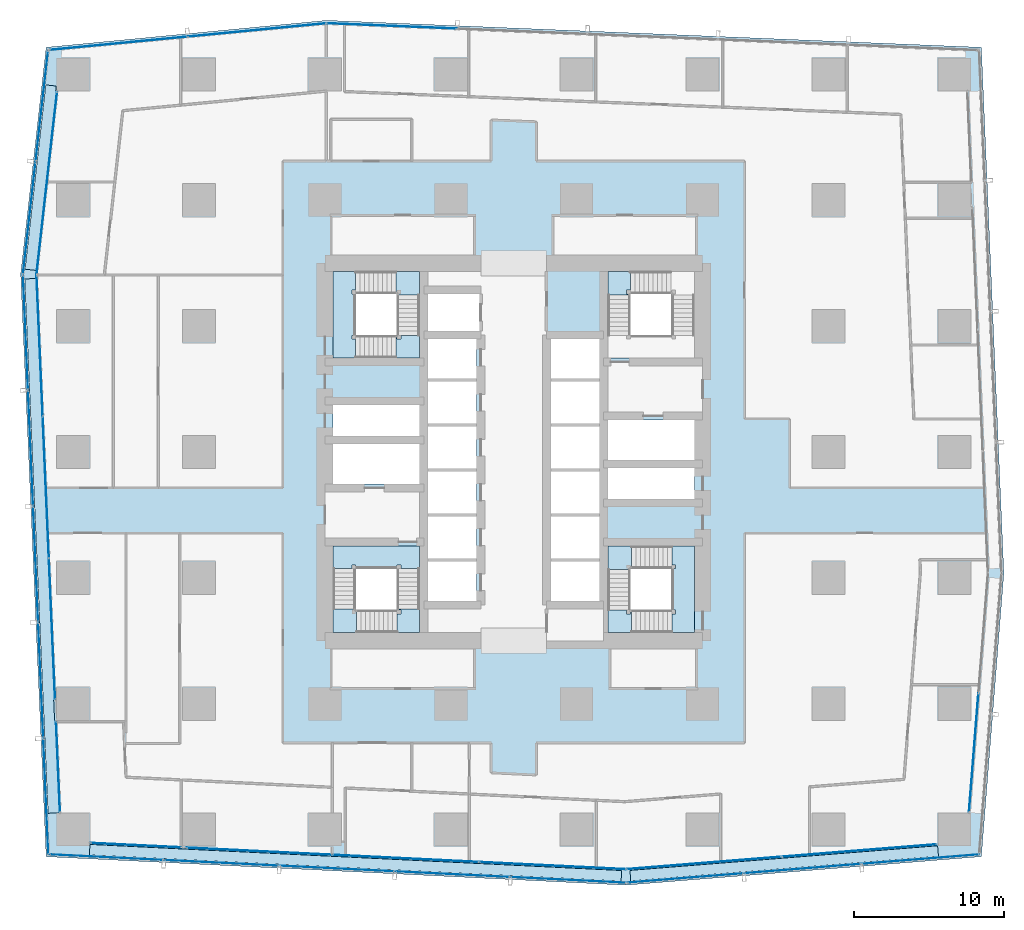
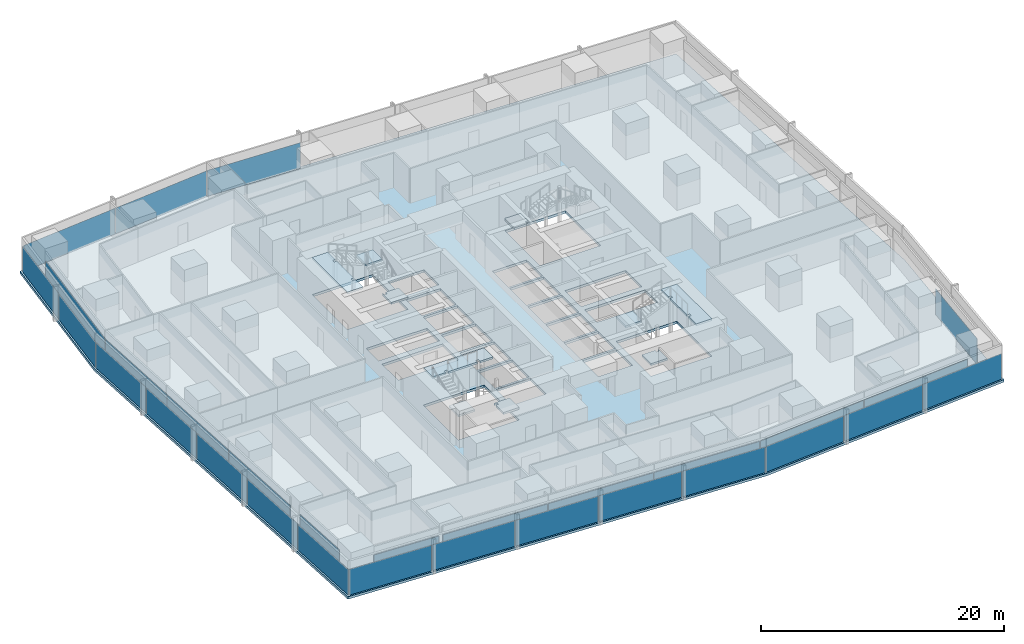
# One storey, part 30 of 45: 34 plates, 11 slabs, 17 elements without a shape of their own.
"""IFC4 building model written with IfcOpenShell, lengths in metres."""

import ifcopenshell
import ifcopenshell.guid

model = None  # the IFC model being written
_history = None  # IfcOwnerHistory: only IFC2X3 demands one
_inside = {}  # id of a spatial element -> (the spatial element, [elements in it])
_under = {}  # id of a project, library or spatial element -> (it, [spatial elements below it])
_declared = {}  # id of a project -> (the project, [libraries it declares])
_typed = {}  # id of a type object -> (the type object, [elements of that type])
_made_of = {}  # id of a material, layer set ... -> (it, [elements and type objects made of it])


def new_model(schema):
    """Start an empty IFC model of exactly this schema.

    Asked for "IFC4X3", IfcOpenShell would pick the latest addendum, in which some entities
    have other attributes; the version numbers below select the first issue.
    IFC2X3 requires an IfcOwnerHistory on every rooted entity: one is made here for all.
    """
    global model, _history
    if schema == "IFC4X3":
        model = ifcopenshell.file(schema_version=(4, 3, 0, 0))
    else:
        model = ifcopenshell.file(schema=schema)
    _inside.clear()
    _under.clear()
    _declared.clear()
    _typed.clear()
    _made_of.clear()
    _history = None
    if model.schema == "IFC2X3":
        org = make("IfcOrganization", Name="unknown")
        user = make(
            "IfcPersonAndOrganization",
            ThePerson=make("IfcPerson", FamilyName="unknown"),
            TheOrganization=org,
        )
        app = make(
            "IfcApplication",
            ApplicationDeveloper=org,
            Version="unknown",
            ApplicationFullName="unknown",
            ApplicationIdentifier="unknown",
        )
        _history = make(
            "IfcOwnerHistory",
            OwningUser=user,
            OwningApplication=app,
            ChangeAction="ADDED",
            CreationDate=0,
        )
    return model


def make(cls, **values):
    """One entity of the class cls with the attributes given. An attribute that is None is left unset."""
    return model.create_entity(
        cls, **{name: value for name, value in values.items() if value is not None}
    )


def rooted(cls, **values):
    """An entity with a GlobalId (a new one), such as an element, a storey or a relation."""
    return make(cls, GlobalId=ifcopenshell.guid.new(), OwnerHistory=_history, **values)


def si_unit(unit_type, name, prefix=None):
    """IfcSIUnit, for example si_unit("LENGTHUNIT", "METRE", prefix="MILLI")."""
    return make("IfcSIUnit", UnitType=unit_type, Prefix=prefix, Name=name)


def assignment(units):
    """IfcUnitAssignment: the units of a project."""
    return None if units is None else make("IfcUnitAssignment", Units=units)


def point(xyz):
    """IfcCartesianPoint."""
    return None if xyz is None else make("IfcCartesianPoint", Coordinates=xyz)


def direction(xyz):
    """IfcDirection."""
    return None if xyz is None else make("IfcDirection", DirectionRatios=xyz)


def frame(location, z_axis=None, x_axis=None):
    """IfcAxis2Placement3D, a coordinate frame: its origin and axes. An axis left out is left unset."""
    return make(
        "IfcAxis2Placement3D",
        Location=point(location),
        Axis=direction(z_axis),
        RefDirection=direction(x_axis),
    )


def frame_2d(location, x_axis=None):
    """IfcAxis2Placement2D, a coordinate frame in the plane: its origin and x axis."""
    return make(
        "IfcAxis2Placement2D", Location=point(location), RefDirection=direction(x_axis)
    )


def origin():
    """The frame at (0, 0, 0) with its axes left unset."""
    return frame((0.0, 0.0, 0.0))


def origin_2d():
    """The frame at (0, 0) in the plane with its x axis left unset."""
    return frame_2d((0.0, 0.0))


def place(relative_to, where):
    """IfcLocalPlacement: puts the frame where relative to a parent placement (None: the world)."""
    return make(
        "IfcLocalPlacement", PlacementRelTo=relative_to, RelativePlacement=where
    )


def context(
    kind, dimensions, precision=None, world=None, true_north=None, identifier=None
):
    """IfcGeometricRepresentationContext, for example the 3D "Model" context."""
    return make(
        "IfcGeometricRepresentationContext",
        ContextIdentifier=identifier,
        ContextType=kind,
        CoordinateSpaceDimension=dimensions,
        Precision=precision,
        WorldCoordinateSystem=world,
        TrueNorth=true_north,
    )


def subcontext(parent, identifier, kind, view, scale=None):
    """IfcGeometricRepresentationSubContext, for example "Body" below "Model"."""
    return make(
        "IfcGeometricRepresentationSubContext",
        ContextIdentifier=identifier,
        ContextType=kind,
        ParentContext=parent,
        TargetScale=scale,
        TargetView=view,
    )


def project(units=None, contexts=None):
    """IfcProject with its units and contexts."""
    return rooted(
        "IfcProject",
        Name="project",
        RepresentationContexts=contexts,
        UnitsInContext=assignment(units),
    )


def spatial(cls, under=None, at=None, **own):
    """A site, building, storey or space (cls), placed at a placement, below another one or the project."""
    s = rooted(cls, ObjectPlacement=at, **own)
    if under is not None:
        _under.setdefault(under.id(), (under, []))[1].append(s)
    return s


def polyline(points):
    """IfcPolyline through the points."""
    return make("IfcPolyline", Points=[point(p) for p in points])


def profile(cls, at=None, kind="AREA", **sizes):
    """A parametric profile (cls). Its sizes go by their IFC names, for example OverallWidth=200.0."""
    return make(cls, ProfileType=kind, Position=at, **sizes)


def rectangle(**sizes):
    """IfcRectangleProfileDef."""
    return profile("IfcRectangleProfileDef", **sizes)


def outline(outer, holes=None, kind="AREA"):
    """IfcArbitraryClosedProfileDef: a profile drawn as a closed curve; with holes, ...WithVoids."""
    if holes is None:
        return make("IfcArbitraryClosedProfileDef", ProfileType=kind, OuterCurve=outer)
    return make(
        "IfcArbitraryProfileDefWithVoids",
        ProfileType=kind,
        OuterCurve=outer,
        InnerCurves=holes,
    )


def extrude(swept, where, along, depth):
    """IfcExtrudedAreaSolid: the profile swept, set in the frame where, extruded along a direction by depth."""
    return make(
        "IfcExtrudedAreaSolid",
        SweptArea=swept,
        Position=where,
        ExtrudedDirection=direction(along),
        Depth=depth,
    )


def shape(context_of_items, identifier, shape_type, items):
    """IfcShapeRepresentation: the items that make up one representation, for example the "Body"."""
    return make(
        "IfcShapeRepresentation",
        ContextOfItems=context_of_items,
        RepresentationIdentifier=identifier,
        RepresentationType=shape_type,
        Items=items,
    )


def material(Name=None, Category=None):
    """IfcMaterial."""
    return make("IfcMaterial", Name=Name, Category=Category)


def layer(
    of_material, thickness, ventilated=None, Name=None, Category=None, Priority=None
):
    """IfcMaterialLayer: one layer of a wall or slab, of a material (None: an air gap)."""
    return make(
        "IfcMaterialLayer",
        Material=of_material,
        LayerThickness=thickness,
        IsVentilated=ventilated,
        Name=Name,
        Category=Category,
        Priority=Priority,
    )


def layer_set(layers, Name=None):
    """IfcMaterialLayerSet."""
    return make("IfcMaterialLayerSet", MaterialLayers=layers, LayerSetName=Name)


def made_of(thing, what):
    """Note that an element or type object is made of a material, layer set ...; save() writes the relation."""
    if what is not None:
        _made_of.setdefault(what.id(), (what, []))[1].append(thing)
    return thing


def type_object(cls, material=None, **own):
    """A type object (cls), such as IfcWallType, which elements share."""
    return made_of(rooted(cls, **own), material)


def element(
    cls,
    number,
    at=None,
    inside=None,
    cuts=None,
    type_object=None,
    material=None,
    context=None,
    identifier="Body",
    shape_type=None,
    held_by="IfcProductDefinitionShape",
    body=None,
    shapes=None,
    **own,
):
    """One element of the class cls, such as IfcWall. Its Tag is "e" and its number.

    at: its placement. inside: the storey or other place that contains it. cuts: it is an
    opening in that element (IfcRelVoidsElement). A single representation is given by context,
    identifier, shape_type and body (its items); several are given by shapes. held_by: the class
    of the entity that holds the representations. save() writes the other relations.
    """
    e = rooted(cls, Tag="e%d" % number, ObjectPlacement=at, **own)
    if body is not None:
        shapes = [shape(context, identifier, shape_type, body)]
    if shapes is not None:
        e.Representation = make(held_by, Representations=shapes)
    if inside is not None:
        _inside.setdefault(inside.id(), (inside, []))[1].append(e)
    if cuts is not None:
        rooted(
            "IfcRelVoidsElement", RelatingBuildingElement=cuts, RelatedOpeningElement=e
        )
    if type_object is not None:
        _typed.setdefault(type_object.id(), (type_object, []))[1].append(e)
    return made_of(e, material)


def aggregate(whole, parts):
    """IfcRelAggregates: a whole, such as a stair, and the parts it consists of."""
    return rooted("IfcRelAggregates", RelatingObject=whole, RelatedObjects=parts)


def save(model, path):
    """Write the relations noted so far, then the file.

    IfcRelAggregates (storeys below a building ...), IfcRelContainedInSpatialStructure (elements
    in a storey), IfcRelDefinesByType, IfcRelAssociatesMaterial and IfcRelDeclares: one each for
    every whole, place, type object, material and project.
    """
    for whole, parts in _under.values():
        aggregate(whole, parts)
    for where, things in _inside.values():
        rooted(
            "IfcRelContainedInSpatialStructure",
            RelatedElements=things,
            RelatingStructure=where,
        )
    for kind, things in _typed.values():
        rooted("IfcRelDefinesByType", RelatedObjects=things, RelatingType=kind)
    for what, things in _made_of.values():
        rooted("IfcRelAssociatesMaterial", RelatedObjects=things, RelatingMaterial=what)
    for by, libraries in _declared.values():
        rooted("IfcRelDeclares", RelatingContext=by, RelatedDefinitions=libraries)
    model.write(path)


model = new_model("IFC4")

# Units and contexts
model_context = context("Model", 3, precision=1e-05, world=origin(), true_north=direction((0.0, 1.0)))
body_context = subcontext(model_context, "Body", "Model", "MODEL_VIEW")
ifc_project = project(units=[si_unit("LENGTHUNIT", "METRE"), si_unit("AREAUNIT", "SQUARE_METRE"), si_unit("VOLUMEUNIT", "CUBIC_METRE"), si_unit("PLANEANGLEUNIT", "RADIAN"), si_unit("MASSUNIT", "GRAM", prefix="KILO")], contexts=[model_context])

# Site, building, storey
site_placement = place(None, origin())
site = spatial("IfcSite", under=ifc_project, at=site_placement, CompositionType="ELEMENT")
building_placement = place(site_placement, origin())
building = spatial("IfcBuilding", under=site, at=building_placement, Name="Rekha Terrace Tower", CompositionType="ELEMENT")
storey_placement = place(building_placement, frame((0.0, 0.0, 32.89990234375)))
storey = spatial("IfcBuildingStorey", under=building, at=storey_placement, Name="L07", CompositionType="ELEMENT", Elevation=32.89990234375)

# Curtain wall, plate
ifc_material_1 = material(Name="Aluminium framing", Category="aluminium")
curtain_wall_type_1 = type_object("IfcCurtainWallType", Name="CW1 double skin inner glazing", PredefinedType="USERDEFINED", material=ifc_material_1)
curtain_wall_1_placement = place(storey_placement, origin())
curtain_wall_1 = element("IfcCurtainWall", 1, at=curtain_wall_1_placement, inside=storey, type_object=curtain_wall_type_1, Name="CW1 double skin inner glazing", ObjectType="DOUBLE SKIN INNER GLAZING", PredefinedType="USERDEFINED")
ifc_material_2 = material(Name="Double-glazed low-e unit 32", Category="glass")
ifc_layer_1 = layer(ifc_material_2, 0.031982421875)
ifc_layer_set_1 = layer_set([ifc_layer_1], Name="Double-glazed low-e unit 32")
plate_type_1 = type_object("IfcPlateType", Name="CW1 jumbo vision panel, double-glazed low-e unit 32", PredefinedType="CURTAIN_PANEL", material=ifc_layer_set_1)
plate_1_placement = place(storey_placement, frame((12.60009765625, 7.36669921875, 0.0), z_axis=(0.0, 0.0, 1.0), x_axis=(0.998796239977, -0.049051717693, 0.0)))
plate_1 = element("IfcPlate", 2, at=plate_1_placement, type_object=plate_type_1, Name="CW1 panel 1.1", PredefinedType="CURTAIN_PANEL", context=body_context, shape_type="SweptSolid", body=[
    extrude(rectangle(XDim=6.028076171875, YDim=0.031982421875, at=origin_2d()), origin(), (0.0, 0.0, 1.0), 2.60009765625),
])
aggregate(curtain_wall_1, [plate_1])

# Curtain wall, plates
curtain_wall_2_placement = place(storey_placement, origin())
curtain_wall_2 = element("IfcCurtainWall", 3, at=curtain_wall_2_placement, inside=storey, type_object=curtain_wall_type_1, Name="CW1 double skin inner glazing", ObjectType="DOUBLE SKIN INNER GLAZING", PredefinedType="USERDEFINED")
plate_2_placement = place(storey_placement, frame((20.818603515625, 6.962890625, 0.0), z_axis=(0.0, 0.0, 1.0), x_axis=(0.998796239974, -0.049051717746, 0.0)))
plate_2 = element("IfcPlate", 4, at=plate_2_placement, type_object=plate_type_1, Name="CW1 panel 1.1", PredefinedType="CURTAIN_PANEL", context=body_context, shape_type="SweptSolid", body=[
    extrude(rectangle(XDim=9.701904296875, YDim=0.031982421875, at=origin_2d()), origin(), (0.0, 0.0, 1.0), 2.60009765625),
])
plate_3_placement = place(storey_placement, frame((30.590087890625, 6.483154296875, 0.0), z_axis=(0.0, 0.0, 1.0), x_axis=(0.998796239974, -0.049051717746, 0.0)))
plate_3 = element("IfcPlate", 5, at=plate_3_placement, type_object=plate_type_1, Name="CW1 panel 2.1", PredefinedType="CURTAIN_PANEL", context=body_context, shape_type="SweptSolid", body=[
    extrude(rectangle(XDim=9.734619140625, YDim=0.031982421875, at=origin_2d()), origin(), (0.0, 0.0, 1.0), 2.60009765625),
])
plate_4_placement = place(storey_placement, frame((40.39404296875, 6.001708984375, 0.0), z_axis=(0.0, 0.0, 1.0), x_axis=(0.998796239974, -0.049051717746, 0.0)))
plate_4 = element("IfcPlate", 6, at=plate_4_placement, type_object=plate_type_1, Name="CW1 panel 3.1", PredefinedType="CURTAIN_PANEL", context=body_context, shape_type="SweptSolid", body=[
    extrude(rectangle(XDim=9.76708984375, YDim=0.031982421875, at=origin_2d()), origin(), (0.0, 0.0, 1.0), 2.60009765625),
])
aggregate(curtain_wall_2, [plate_2, plate_3, plate_4])

curtain_wall_3_placement = place(storey_placement, origin())
curtain_wall_3 = element("IfcCurtainWall", 7, at=curtain_wall_3_placement, inside=storey, type_object=curtain_wall_type_1, Name="CW1 double skin inner glazing", ObjectType="DOUBLE SKIN INNER GLAZING", PredefinedType="USERDEFINED")
plate_5_placement = place(storey_placement, frame((50.488037109375, 6.18017578125, 0.0), z_axis=(0.0, 0.0, 1.0), x_axis=(0.996805111821, 0.079872204468, 0.0)))
plate_5 = element("IfcPlate", 8, at=plate_5_placement, type_object=plate_type_1, Name="CW1 panel 1.1", PredefinedType="CURTAIN_PANEL", context=body_context, shape_type="SweptSolid", body=[
    extrude(rectangle(XDim=10.336181640625, YDim=0.031982421875, at=origin_2d()), origin(), (0.0, 0.0, 1.0), 2.60009765625),
])
plate_6_placement = place(storey_placement, frame((60.85595703125, 7.0107421875, 0.0), z_axis=(0.0, 0.0, 1.0), x_axis=(0.996805111821, 0.079872204468, 0.0)))
plate_6 = element("IfcPlate", 9, at=plate_6_placement, type_object=plate_type_1, Name="CW1 panel 2.1", PredefinedType="CURTAIN_PANEL", context=body_context, shape_type="SweptSolid", body=[
    extrude(rectangle(XDim=10.336181640625, YDim=0.031982421875, at=origin_2d()), origin(), (0.0, 0.0, 1.0), 2.60009765625),
])
aggregate(curtain_wall_3, [plate_5, plate_6])

# Curtain wall, plate
curtain_wall_4_placement = place(storey_placement, origin())
curtain_wall_4 = element("IfcCurtainWall", 10, at=curtain_wall_4_placement, inside=storey, type_object=curtain_wall_type_1, Name="CW1 double skin inner glazing", ObjectType="DOUBLE SKIN INNER GLAZING", PredefinedType="USERDEFINED")
plate_7_placement = place(storey_placement, frame((68.487548828125, 13.541748046875, 0.0), z_axis=(0.0, 0.0, 1.0), x_axis=(0.079116301, 0.996865392576, 0.0)))
plate_7 = element("IfcPlate", 11, at=plate_7_placement, type_object=plate_type_1, Name="CW1 panel 1.1", PredefinedType="CURTAIN_PANEL", context=body_context, shape_type="SweptSolid", body=[
    extrude(rectangle(XDim=7.923583984375, YDim=0.031982421875, at=origin_2d()), origin(), (0.0, 0.0, 1.0), 2.60009765625),
])
aggregate(curtain_wall_4, [plate_7])

curtain_wall_5_placement = place(storey_placement, origin())
curtain_wall_5 = element("IfcCurtainWall", 12, at=curtain_wall_5_placement, inside=storey, type_object=curtain_wall_type_1, Name="CW1 double skin inner glazing", ObjectType="DOUBLE SKIN INNER GLAZING", PredefinedType="USERDEFINED")
plate_8_placement = place(storey_placement, frame((6.646728515625, 51.52734375, 0.0), z_axis=(0.0, 0.0, 1.0), x_axis=(-0.111729870748, -0.993738615524, 0.0)))
plate_8 = element("IfcPlate", 13, at=plate_8_placement, type_object=plate_type_1, Name="CW1 panel 1.1", PredefinedType="CURTAIN_PANEL", context=body_context, shape_type="SweptSolid", body=[
    extrude(rectangle(XDim=12.243896484375, YDim=0.031982421875, at=origin_2d()), origin(), (0.0, 0.0, 1.0), 2.60009765625),
])
aggregate(curtain_wall_5, [plate_8])

# Curtain wall, plates
curtain_wall_6_placement = place(storey_placement, origin())
curtain_wall_6 = element("IfcCurtainWall", 14, at=curtain_wall_6_placement, inside=storey, type_object=curtain_wall_type_1, Name="CW1 double skin inner glazing", ObjectType="DOUBLE SKIN INNER GLAZING", PredefinedType="USERDEFINED")
plate_9_placement = place(storey_placement, frame((6.170166015625, 40.69482421875, 0.0), z_axis=(0.0, 0.0, 1.0), x_axis=(0.043682543337, -0.999045462133, 0.0)))
plate_9 = element("IfcPlate", 15, at=plate_9_placement, type_object=plate_type_1, Name="CW1 panel 1.1", PredefinedType="CURTAIN_PANEL", context=body_context, shape_type="SweptSolid", body=[
    extrude(rectangle(XDim=9.376953125, YDim=0.031982421875, at=origin_2d()), origin(), (0.0, 0.0, 1.0), 2.60009765625),
])
plate_10_placement = place(storey_placement, frame((6.58349609375, 31.245361328125, 0.0), z_axis=(0.0, 0.0, 1.0), x_axis=(0.043682543337, -0.999045462133, 0.0)))
plate_10 = element("IfcPlate", 16, at=plate_10_placement, type_object=plate_type_1, Name="CW1 panel 2.1", PredefinedType="CURTAIN_PANEL", context=body_context, shape_type="SweptSolid", body=[
    extrude(rectangle(XDim=9.40966796875, YDim=0.031982421875, at=origin_2d()), origin(), (0.0, 0.0, 1.0), 2.60009765625),
])
plate_11_placement = place(storey_placement, frame((6.99658203125, 21.796142578125, 0.0), z_axis=(0.0, 0.0, 1.0), x_axis=(0.043682543337, -0.999045462133, 0.0)))
plate_11 = element("IfcPlate", 17, at=plate_11_placement, type_object=plate_type_1, Name="CW1 panel 3.1", PredefinedType="CURTAIN_PANEL", context=body_context, shape_type="SweptSolid", body=[
    extrude(rectangle(XDim=9.376953125, YDim=0.031982421875, at=origin_2d()), origin(), (0.0, 0.0, 1.0), 2.60009765625),
])
aggregate(curtain_wall_6, [plate_9, plate_10, plate_11])

# Curtain wall, plate
curtain_wall_7_placement = place(storey_placement, origin())
curtain_wall_7 = element("IfcCurtainWall", 18, at=curtain_wall_7_placement, inside=storey, type_object=curtain_wall_type_1, Name="CW1 double skin inner glazing", ObjectType="DOUBLE SKIN INNER GLAZING", PredefinedType="USERDEFINED")
plate_12_placement = place(storey_placement, frame((7.398681640625, 12.60009765625, 0.0), z_axis=(0.0, 0.0, 1.0), x_axis=(0.043682543424, -0.999045462129, 0.0)))
plate_12 = element("IfcPlate", 19, at=plate_12_placement, type_object=plate_type_1, Name="CW1 panel 1.1", PredefinedType="CURTAIN_PANEL", context=body_context, shape_type="SweptSolid", body=[
    extrude(rectangle(XDim=6.027587890625, YDim=0.031982421875, at=origin_2d()), origin(), (0.0, 0.0, 1.0), 2.60009765625),
])
aggregate(curtain_wall_7, [plate_12])

# Curtain wall, plates
curtain_wall_type_2 = type_object("IfcCurtainWallType", Name="CW2 double skin outer glazing", PredefinedType="USERDEFINED", material=ifc_material_1)
curtain_wall_8_placement = place(storey_placement, origin())
curtain_wall_8 = element("IfcCurtainWall", 20, at=curtain_wall_8_placement, inside=storey, type_object=curtain_wall_type_2, Name="CW2 double skin outer glazing", ObjectType="DOUBLE SKIN OUTER GLAZING", PredefinedType="USERDEFINED")
ifc_material_3 = material(Name="Toughened single glazing 12", Category="glass")
ifc_layer_2 = layer(ifc_material_3, 0.011962890625)
ifc_layer_set_2 = layer_set([ifc_layer_2], Name="Toughened single glazing 12")
plate_type_2 = type_object("IfcPlateType", Name="CW2 jumbo vision panel, toughened single glazing 12", PredefinedType="CURTAIN_PANEL", material=ifc_layer_set_2)
plate_13_placement = place(storey_placement, frame((10.626708984375, 6.5625, 0.0), z_axis=(0.0, 0.0, 1.0), x_axis=(0.998796239974, -0.049051717746, 0.0)))
plate_13 = element("IfcPlate", 21, at=plate_13_placement, type_object=plate_type_2, Name="CW2 panel 1.1", PredefinedType="CURTAIN_PANEL", context=body_context, shape_type="SweptSolid", body=[
    extrude(rectangle(XDim=7.595703125, YDim=0.011962890625, at=origin_2d()), origin(), (0.0, 0.0, 1.0), 2.60009765625),
])
plate_14_placement = place(storey_placement, frame((18.31298828125, 6.18505859375, 0.0), z_axis=(0.0, 0.0, 1.0), x_axis=(0.998796239974, -0.049051717746, 0.0)))
plate_14 = element("IfcPlate", 22, at=plate_14_placement, type_object=plate_type_2, Name="CW2 panel 2.1", PredefinedType="CURTAIN_PANEL", context=body_context, shape_type="SweptSolid", body=[
    extrude(rectangle(XDim=7.6357421875, YDim=0.011962890625, at=origin_2d()), origin(), (0.0, 0.0, 1.0), 2.60009765625),
])
plate_15_placement = place(storey_placement, frame((26.01953125, 5.806396484375, 0.0), z_axis=(0.0, 0.0, 1.0), x_axis=(0.998796239974, -0.049051717746, 0.0)))
plate_15 = element("IfcPlate", 23, at=plate_15_placement, type_object=plate_type_2, Name="CW2 panel 3.1", PredefinedType="CURTAIN_PANEL", context=body_context, shape_type="SweptSolid", body=[
    extrude(rectangle(XDim=7.6357421875, YDim=0.011962890625, at=origin_2d()), origin(), (0.0, 0.0, 1.0), 2.60009765625),
])
plate_16_placement = place(storey_placement, frame((33.725830078125, 5.427978515625, 0.0), z_axis=(0.0, 0.0, 1.0), x_axis=(0.998796239974, -0.049051717746, 0.0)))
plate_16 = element("IfcPlate", 24, at=plate_16_placement, type_object=plate_type_2, Name="CW2 panel 4.1", PredefinedType="CURTAIN_PANEL", context=body_context, shape_type="SweptSolid", body=[
    extrude(rectangle(XDim=7.6357421875, YDim=0.011962890625, at=origin_2d()), origin(), (0.0, 0.0, 1.0), 2.60009765625),
])
plate_17_placement = place(storey_placement, frame((41.452392578125, 5.048583984375, 0.0), z_axis=(0.0, 0.0, 1.0), x_axis=(0.998796239974, -0.049051717746, 0.0)))
plate_17 = element("IfcPlate", 25, at=plate_17_placement, type_object=plate_type_2, Name="CW2 panel 5.1", PredefinedType="CURTAIN_PANEL", context=body_context, shape_type="SweptSolid", body=[
    extrude(rectangle(XDim=7.67578125, YDim=0.011962890625, at=origin_2d()), origin(), (0.0, 0.0, 1.0), 2.60009765625),
])
aggregate(curtain_wall_8, [plate_13, plate_14, plate_15, plate_16, plate_17])

curtain_wall_9_placement = place(storey_placement, origin())
curtain_wall_9 = element("IfcCurtainWall", 26, at=curtain_wall_9_placement, inside=storey, type_object=curtain_wall_type_2, Name="CW2 double skin outer glazing", ObjectType="DOUBLE SKIN OUTER GLAZING", PredefinedType="USERDEFINED")
plate_18_placement = place(storey_placement, frame((49.233154296875, 5.176513671875, 0.0), z_axis=(0.0, 0.0, 1.0), x_axis=(0.996805111821, 0.079872204468, 0.0)))
plate_18 = element("IfcPlate", 27, at=plate_18_placement, type_object=plate_type_2, Name="CW2 panel 1.1", PredefinedType="CURTAIN_PANEL", context=body_context, shape_type="SweptSolid", body=[
    extrude(rectangle(XDim=7.760498046875, YDim=0.011962890625, at=origin_2d()), origin(), (0.0, 0.0, 1.0), 2.60009765625),
])
plate_19_placement = place(storey_placement, frame((57.068359375, 5.804443359375, 0.0), z_axis=(0.0, 0.0, 1.0), x_axis=(0.996805111821, 0.079872204468, 0.0)))
plate_19 = element("IfcPlate", 28, at=plate_19_placement, type_object=plate_type_2, Name="CW2 panel 2.1", PredefinedType="CURTAIN_PANEL", context=body_context, shape_type="SweptSolid", body=[
    extrude(rectangle(XDim=7.800537109375, YDim=0.011962890625, at=origin_2d()), origin(), (0.0, 0.0, 1.0), 2.60009765625),
])
plate_20_placement = place(storey_placement, frame((64.943603515625, 6.435546875, 0.0), z_axis=(0.0, 0.0, 1.0), x_axis=(0.996805111821, 0.079872204468, 0.0)))
plate_20 = element("IfcPlate", 29, at=plate_20_placement, type_object=plate_type_2, Name="CW2 panel 3.1", PredefinedType="CURTAIN_PANEL", context=body_context, shape_type="SweptSolid", body=[
    extrude(rectangle(XDim=7.84033203125, YDim=0.011962890625, at=origin_2d()), origin(), (0.0, 0.0, 1.0), 2.60009765625),
])
aggregate(curtain_wall_9, [plate_18, plate_19, plate_20])

curtain_wall_10_placement = place(storey_placement, origin())
curtain_wall_10 = element("IfcCurtainWall", 30, at=curtain_wall_10_placement, inside=storey, type_object=curtain_wall_type_2, Name="CW2 double skin outer glazing", ObjectType="DOUBLE SKIN OUTER GLAZING", PredefinedType="USERDEFINED")
plate_21_placement = place(storey_placement, frame((6.3212890625, 56.688720703125, 0.0), z_axis=(0.0, 0.0, 1.0), x_axis=(-0.111729870782, -0.99373861552, 0.0)))
plate_21 = element("IfcPlate", 31, at=plate_21_placement, type_object=plate_type_2, Name="CW2 panel 1.1", PredefinedType="CURTAIN_PANEL", context=body_context, shape_type="SweptSolid", body=[
    extrude(rectangle(XDim=7.41650390625, YDim=0.011962890625, at=origin_2d()), origin(), (0.0, 0.0, 1.0), 2.60009765625),
])
plate_22_placement = place(storey_placement, frame((5.479248046875, 49.19921875, 0.0), z_axis=(0.0, 0.0, 1.0), x_axis=(-0.111729870782, -0.99373861552, 0.0)))
plate_22 = element("IfcPlate", 32, at=plate_22_placement, type_object=plate_type_2, Name="CW2 panel 2.1", PredefinedType="CURTAIN_PANEL", context=body_context, shape_type="SweptSolid", body=[
    extrude(rectangle(XDim=7.49658203125, YDim=0.011962890625, at=origin_2d()), origin(), (0.0, 0.0, 1.0), 2.60009765625),
])
aggregate(curtain_wall_10, [plate_21, plate_22])

curtain_wall_11_placement = place(storey_placement, origin())
curtain_wall_11 = element("IfcCurtainWall", 33, at=curtain_wall_11_placement, inside=storey, type_object=curtain_wall_type_2, Name="CW2 double skin outer glazing", ObjectType="DOUBLE SKIN OUTER GLAZING", PredefinedType="USERDEFINED")
plate_23_placement = place(storey_placement, frame((5.23046875, 41.582275390625, 0.0), z_axis=(0.0, 0.0, 1.0), x_axis=(0.043682543372, -0.999045462131, 0.0)))
plate_23 = element("IfcPlate", 34, at=plate_23_placement, type_object=plate_type_2, Name="CW2 panel 1.1", PredefinedType="CURTAIN_PANEL", context=body_context, shape_type="SweptSolid", body=[
    extrude(rectangle(XDim=7.6318359375, YDim=0.011962890625, at=origin_2d()), origin(), (0.0, 0.0, 1.0), 2.60009765625),
])
plate_24_placement = place(storey_placement, frame((5.568359375, 33.85791015625, 0.0), z_axis=(0.0, 0.0, 1.0), x_axis=(0.043682543372, -0.999045462131, 0.0)))
plate_24 = element("IfcPlate", 35, at=plate_24_placement, type_object=plate_type_2, Name="CW2 panel 2.1", PredefinedType="CURTAIN_PANEL", context=body_context, shape_type="SweptSolid", body=[
    extrude(rectangle(XDim=7.671875, YDim=0.011962890625, at=origin_2d()), origin(), (0.0, 0.0, 1.0), 2.60009765625),
])
plate_25_placement = place(storey_placement, frame((5.906982421875, 26.113525390625, 0.0), z_axis=(0.0, 0.0, 1.0), x_axis=(0.043682543372, -0.999045462131, 0.0)))
plate_25 = element("IfcPlate", 36, at=plate_25_placement, type_object=plate_type_2, Name="CW2 panel 3.1", PredefinedType="CURTAIN_PANEL", context=body_context, shape_type="SweptSolid", body=[
    extrude(rectangle(XDim=7.671875, YDim=0.011962890625, at=origin_2d()), origin(), (0.0, 0.0, 1.0), 2.60009765625),
])
plate_26_placement = place(storey_placement, frame((6.24560546875, 18.369140625, 0.0), z_axis=(0.0, 0.0, 1.0), x_axis=(0.043682543372, -0.999045462131, 0.0)))
plate_26 = element("IfcPlate", 37, at=plate_26_placement, type_object=plate_type_2, Name="CW2 panel 4.1", PredefinedType="CURTAIN_PANEL", context=body_context, shape_type="SweptSolid", body=[
    extrude(rectangle(XDim=7.671875, YDim=0.011962890625, at=origin_2d()), origin(), (0.0, 0.0, 1.0), 2.60009765625),
])
plate_27_placement = place(storey_placement, frame((6.5849609375, 10.60498046875, 0.0), z_axis=(0.0, 0.0, 1.0), x_axis=(0.043682543372, -0.999045462131, 0.0)))
plate_27 = element("IfcPlate", 38, at=plate_27_placement, type_object=plate_type_2, Name="CW2 panel 5.1", PredefinedType="CURTAIN_PANEL", context=body_context, shape_type="SweptSolid", body=[
    extrude(rectangle(XDim=7.711669921875, YDim=0.011962890625, at=origin_2d()), origin(), (0.0, 0.0, 1.0), 2.60009765625),
])
aggregate(curtain_wall_11, [plate_23, plate_24, plate_25, plate_26, plate_27])

# Curtain wall, plate
curtain_wall_type_3 = type_object("IfcCurtainWallType", Name="CW3 north unitised glazing", PredefinedType="USERDEFINED", material=ifc_material_1)
curtain_wall_12_placement = place(storey_placement, origin())
curtain_wall_12 = element("IfcCurtainWall", 39, at=curtain_wall_12_placement, inside=storey, type_object=curtain_wall_type_3, Name="CW3 unitised curtain wall", ObjectType="UNITISED CURTAIN WALL", PredefinedType="USERDEFINED")
ifc_material_4 = material(Name="Double-glazed unit 28", Category="glass")
ifc_layer_3 = layer(ifc_material_4, 0.028076171875)
ifc_layer_set_3 = layer_set([ifc_layer_3], Name="Double-glazed unit 28")
plate_type_3 = type_object("IfcPlateType", Name="CW3 jumbo vision panel, double-glazed unit 28", PredefinedType="CURTAIN_PANEL", material=ifc_layer_set_3)
plate_28_placement = place(storey_placement, frame((29.65625, 62.021240234375, 0.0), z_axis=(0.0, 0.0, 1.0), x_axis=(-0.999151997647, 0.041173846041, 0.0)))
plate_28 = element("IfcPlate", 40, at=plate_28_placement, type_object=plate_type_3, Name="CW3 panel 5.1", PredefinedType="CURTAIN_PANEL", context=body_context, shape_type="SweptSolid", body=[
    extrude(rectangle(XDim=8.6689453125, YDim=0.028076171875, at=origin_2d()), origin(), (0.0, 0.0, 1.0), 2.60009765625),
])
aggregate(curtain_wall_12, [plate_28])

# Curtain wall, plates
curtain_wall_13_placement = place(storey_placement, origin())
curtain_wall_13 = element("IfcCurtainWall", 41, at=curtain_wall_13_placement, inside=storey, type_object=curtain_wall_type_3, Name="CW3 unitised curtain wall", ObjectType="UNITISED CURTAIN WALL", PredefinedType="USERDEFINED")
plate_29_placement = place(storey_placement, frame((20.671875, 61.752197265625, 0.0), z_axis=(0.0, 0.0, 1.0), x_axis=(-0.995409029102, -0.095712406625, 0.0)))
plate_29 = element("IfcPlate", 42, at=plate_29_placement, type_object=plate_type_3, Name="CW3 panel 1.1", PredefinedType="CURTAIN_PANEL", context=body_context, shape_type="SweptSolid", body=[
    extrude(rectangle(XDim=9.210205078125, YDim=0.028076171875, at=origin_2d()), origin(), (0.0, 0.0, 1.0), 2.60009765625),
])
plate_30_placement = place(storey_placement, frame((11.434326171875, 60.864013671875, 0.0), z_axis=(0.0, 0.0, 1.0), x_axis=(-0.995409029102, -0.095712406625, 0.0)))
plate_30 = element("IfcPlate", 43, at=plate_30_placement, type_object=plate_type_3, Name="CW3 panel 2.1", PredefinedType="CURTAIN_PANEL", context=body_context, shape_type="SweptSolid", body=[
    extrude(rectangle(XDim=9.210205078125, YDim=0.028076171875, at=origin_2d()), origin(), (0.0, 0.0, 1.0), 2.60009765625),
])
aggregate(curtain_wall_13, [plate_29, plate_30])

# Plates
ifc_material_5 = material(Name="Galvanised steel open grating", Category="steel")
ifc_layer_4 = layer(ifc_material_5, 0.050048828125)
ifc_layer_set_4 = layer_set([ifc_layer_4], Name="Galvanised steel open grating")
plate_type_4 = type_object("IfcPlateType", Name="GT1 cavity walkway grating 50", PredefinedType="USERDEFINED", material=ifc_layer_set_4)
plate_31_placement = place(storey_placement, frame((27.24365234375, 6.197021484375, 0.0), z_axis=(0.0, 0.0, 1.0), x_axis=(0.998796239974, -0.049051717746, 0.0)))
element("IfcPlate", 44, at=plate_31_placement, inside=storey, type_object=plate_type_4, Name="Cavity walkway grating", ObjectType="CAVITY WALKWAY GRATING", PredefinedType="USERDEFINED", context=body_context, shape_type="SweptSolid", body=[
    extrude(rectangle(XDim=35.512939453125, YDim=0.705078125, at=origin_2d()), origin(), (0.0, 0.0, 1.0), 0.050048828125),
])
plate_32_placement = place(storey_placement, frame((55.841552734375, 6.15771484375, 0.0), z_axis=(0.0, 0.0, 1.0), x_axis=(0.996805111821, 0.079872204468, 0.0)))
element("IfcPlate", 45, at=plate_32_placement, inside=storey, type_object=plate_type_4, Name="Cavity walkway grating", ObjectType="CAVITY WALKWAY GRATING", PredefinedType="USERDEFINED", context=body_context, shape_type="SweptSolid", body=[
    extrude(rectangle(XDim=20.59375, YDim=0.705078125, at=origin_2d()), origin(), (0.0, 0.0, 1.0), 0.050048828125),
])
plate_33_placement = place(storey_placement, frame((6.236328125, 51.90576171875, 0.0), z_axis=(0.0, 0.0, 1.0), x_axis=(-0.1117298708, -0.993738615518, 0.0)))
element("IfcPlate", 46, at=plate_33_placement, inside=storey, type_object=plate_type_4, Name="Cavity walkway grating", ObjectType="CAVITY WALKWAY GRATING", PredefinedType="USERDEFINED", context=body_context, shape_type="SweptSolid", body=[
    extrude(rectangle(XDim=12.374267578125, YDim=0.705078125, at=origin_2d()), origin(), (0.0, 0.0, 1.0), 0.050048828125),
])
plate_34_placement = place(storey_placement, frame((6.303955078125, 27.3349609375, 0.0), z_axis=(0.0, 0.0, 1.0), x_axis=(0.043682543355, -0.999045462132, 0.0)))
element("IfcPlate", 47, at=plate_34_placement, inside=storey, type_object=plate_type_4, Name="Cavity walkway grating", ObjectType="CAVITY WALKWAY GRATING", PredefinedType="USERDEFINED", context=body_context, shape_type="SweptSolid", body=[
    extrude(rectangle(XDim=35.682861328125, YDim=0.705078125, at=origin_2d()), origin(), (0.0, 0.0, 1.0), 0.050048828125),
])

# Stair, slabs
ifc_material_6 = material(Name="Concrete M40", Category="concrete")
stair_type = type_object("IfcStairType", Name="ST30 stair, 30 risers of 125, going 300, 1500 wide flights, 3 flights", PredefinedType="HALF_TURN_STAIR", material=ifc_material_6)
stair_1_placement = place(storey_placement, origin())
stair_1 = element("IfcStair", 48, at=stair_1_placement, inside=storey, type_object=stair_type, Name="Stair ST1 L07 to L08", PredefinedType="HALF_TURN_STAIR")
ifc_layer_5 = layer(ifc_material_6, 0.199951171875)
ifc_layer_set_5 = layer_set([ifc_layer_5], Name="Concrete M40")
slab_type_1 = type_object("IfcSlabType", Name="LD1 200 concrete stair landing", PredefinedType="LANDING", material=ifc_layer_set_5)
slab_1_placement = place(storey_placement, frame((0.0, 0.0, 1.050048828125)))
slab_1 = element("IfcSlab", 49, at=slab_1_placement, type_object=slab_type_1, Name="ST1 landing 1", PredefinedType="LANDING", context=body_context, shape_type="SweptSolid", body=[
    extrude(outline(polyline([(30.02490234375, 21.550048828125), (31.52490234375, 21.550048828125), (31.52490234375, 23.125), (30.02490234375, 23.125), (30.02490234375, 23.050048828125), (30.27490234375, 23.050048828125), (30.27490234375, 22.800048828125), (30.02490234375, 22.800048828125), (30.02490234375, 21.550048828125)])), origin(), (0.0, 0.0, 1.0), 0.199951171875),
])
slab_2_placement = place(storey_placement, frame((0.0, 0.0, 2.300048828125)))
slab_2 = element("IfcSlab", 50, at=slab_2_placement, type_object=slab_type_1, Name="ST1 landing 2", PredefinedType="LANDING", context=body_context, shape_type="SweptSolid", body=[
    extrude(outline(polyline([(27.25, 23.125), (25.75, 23.125), (25.75, 21.550048828125), (27.324951171875, 21.550048828125), (27.324951171875, 23.050048828125), (27.25, 23.050048828125), (27.25, 23.125)])), origin(), (0.0, 0.0, 1.0), 0.199951171875),
])
slab_3_placement = place(storey_placement, frame((0.0, 0.0, 3.550048828125)))
slab_3 = element("IfcSlab", 51, at=slab_3_placement, type_object=slab_type_1, Name="ST1 landing 3", PredefinedType="LANDING", context=body_context, shape_type="SweptSolid", body=[
    extrude(outline(polyline([(31.52490234375, 25.824951171875), (31.52490234375, 27.324951171875), (25.75, 27.324951171875), (25.75, 25.824951171875), (27.0, 25.824951171875), (27.0, 26.074951171875), (27.25, 26.074951171875), (27.25, 25.824951171875), (30.02490234375, 25.824951171875), (30.02490234375, 26.074951171875), (30.27490234375, 26.074951171875), (30.27490234375, 25.824951171875), (31.52490234375, 25.824951171875)])), origin(), (0.0, 0.0, 1.0), 0.199951171875),
])
aggregate(stair_1, [slab_1, slab_2, slab_3])

# Stair, slab
stair_2_placement = place(storey_placement, origin())
stair_2 = element("IfcStair", 52, at=stair_2_placement, inside=storey, type_object=stair_type, Name="Stair ST2 L07 to L08", PredefinedType="HALF_TURN_STAIR")
slab_4_placement = place(storey_placement, frame((0.0, 0.0, 1.050048828125)))
slab_4 = element("IfcSlab", 53, at=slab_4_placement, type_object=slab_type_1, Name="ST2 landing 1", PredefinedType="LANDING", context=body_context, shape_type="SweptSolid", body=[
    extrude(outline(polyline([(45.574951171875, 45.64990234375), (44.074951171875, 45.64990234375), (44.074951171875, 44.074951171875), (45.574951171875, 44.074951171875), (45.574951171875, 44.14990234375), (45.324951171875, 44.14990234375), (45.324951171875, 44.39990234375), (45.574951171875, 44.39990234375), (45.574951171875, 45.64990234375)])), origin(), (0.0, 0.0, 1.0), 0.199951171875),
])
aggregate(stair_2, [slab_4])

# Stair, slabs
stair_3_placement = place(storey_placement, origin())
stair_3 = element("IfcStair", 54, at=stair_3_placement, inside=storey, type_object=stair_type, Name="Stair ST3 L07 to L08", PredefinedType="HALF_TURN_STAIR")
slab_5_placement = place(storey_placement, frame((0.0, 0.0, 1.050048828125)))
slab_5 = element("IfcSlab", 55, at=slab_5_placement, type_object=slab_type_1, Name="ST3 landing 1", PredefinedType="LANDING", context=body_context, shape_type="SweptSolid", body=[
    extrude(outline(polyline([(44.074951171875, 23.050048828125), (44.074951171875, 21.550048828125), (45.64990234375, 21.550048828125), (45.64990234375, 23.050048828125), (45.574951171875, 23.050048828125), (45.574951171875, 22.800048828125), (45.324951171875, 22.800048828125), (45.324951171875, 23.050048828125), (44.074951171875, 23.050048828125)])), origin(), (0.0, 0.0, 1.0), 0.199951171875),
])
slab_6_placement = place(storey_placement, frame((0.0, 0.0, 2.300048828125)))
slab_6 = element("IfcSlab", 56, at=slab_6_placement, type_object=slab_type_1, Name="ST3 landing 2", PredefinedType="LANDING", context=body_context, shape_type="SweptSolid", body=[
    extrude(outline(polyline([(45.64990234375, 25.824951171875), (45.64990234375, 27.324951171875), (44.074951171875, 27.324951171875), (44.074951171875, 25.75), (45.574951171875, 25.75), (45.574951171875, 25.824951171875), (45.64990234375, 25.824951171875)])), origin(), (0.0, 0.0, 1.0), 0.199951171875),
])
slab_7_placement = place(storey_placement, frame((0.0, 0.0, 3.550048828125)))
slab_7 = element("IfcSlab", 57, at=slab_7_placement, type_object=slab_type_1, Name="ST3 landing 3", PredefinedType="LANDING", context=body_context, shape_type="SweptSolid", body=[
    extrude(outline(polyline([(48.35009765625, 21.550048828125), (49.85009765625, 21.550048828125), (49.85009765625, 27.324951171875), (48.35009765625, 27.324951171875), (48.35009765625, 26.074951171875), (48.60009765625, 26.074951171875), (48.60009765625, 25.824951171875), (48.35009765625, 25.824951171875), (48.35009765625, 23.050048828125), (48.60009765625, 23.050048828125), (48.60009765625, 22.800048828125), (48.35009765625, 22.800048828125), (48.35009765625, 21.550048828125)])), origin(), (0.0, 0.0, 1.0), 0.199951171875),
])
aggregate(stair_3, [slab_5, slab_6, slab_7])

stair_4_placement = place(storey_placement, origin())
stair_4 = element("IfcStair", 58, at=stair_4_placement, inside=storey, type_object=stair_type, Name="Stair ST4 L07 to L08", PredefinedType="HALF_TURN_STAIR")
slab_8_placement = place(storey_placement, frame((0.0, 0.0, 1.050048828125)))
slab_8 = element("IfcSlab", 59, at=slab_8_placement, type_object=slab_type_1, Name="ST4 landing 1", PredefinedType="LANDING", context=body_context, shape_type="SweptSolid", body=[
    extrude(outline(polyline([(31.52490234375, 41.375), (31.52490234375, 39.875), (29.949951171875, 39.875), (29.949951171875, 41.375), (30.02490234375, 41.375), (30.02490234375, 41.125), (30.27490234375, 41.125), (30.27490234375, 41.375), (31.52490234375, 41.375)])), origin(), (0.0, 0.0, 1.0), 0.199951171875),
])
slab_9_placement = place(storey_placement, frame((0.0, 0.0, 2.300048828125)))
slab_9 = element("IfcSlab", 60, at=slab_9_placement, type_object=slab_type_1, Name="ST4 landing 2", PredefinedType="LANDING", context=body_context, shape_type="SweptSolid", body=[
    extrude(outline(polyline([(29.949951171875, 44.14990234375), (29.949951171875, 45.64990234375), (31.52490234375, 45.64990234375), (31.52490234375, 44.074951171875), (30.02490234375, 44.074951171875), (30.02490234375, 44.14990234375), (29.949951171875, 44.14990234375)])), origin(), (0.0, 0.0, 1.0), 0.199951171875),
])
slab_10_placement = place(storey_placement, frame((0.0, 0.0, 3.550048828125)))
slab_10 = element("IfcSlab", 61, at=slab_10_placement, type_object=slab_type_1, Name="ST4 landing 3", PredefinedType="LANDING", context=body_context, shape_type="SweptSolid", body=[
    extrude(outline(polyline([(27.25, 39.875), (25.75, 39.875), (25.75, 45.64990234375), (27.25, 45.64990234375), (27.25, 44.39990234375), (27.0, 44.39990234375), (27.0, 44.14990234375), (27.25, 44.14990234375), (27.25, 41.375), (27.0, 41.375), (27.0, 41.125), (27.25, 41.125), (27.25, 39.875)])), origin(), (0.0, 0.0, 1.0), 0.199951171875),
])
aggregate(stair_4, [slab_8, slab_9, slab_10])

# Slab
ifc_material_7 = material(Name="Concrete M50", Category="concrete")
ifc_layer_6 = layer(ifc_material_7, 0.25)
ifc_layer_set_6 = layer_set([ifc_layer_6], Name="Concrete M50")
slab_type_2 = type_object("IfcSlabType", Name="SL4 250 post-tensioned flat plate", PredefinedType="FLOOR", material=ifc_layer_set_6)
slab_11_placement = place(storey_placement, frame((0.0, 0.0, -0.25)))
element("IfcSlab", 62, at=slab_11_placement, inside=storey, type_object=slab_type_2, Name="Post-tensioned flat plate L07", PredefinedType="FLOOR", context=body_context, shape_type="SweptSolid", body=[
    extrude(outline(polyline([(4.89990234375, 45.47998046875), (6.60009765625, 6.60009765625), (45.2880859375, 4.699951171875), (69.0, 6.60009765625), (70.5, 25.5), (69.0, 60.60009765625), (25.320068359375, 62.39990234375), (6.60009765625, 60.60009765625), (4.89990234375, 45.47998046875)]), holes=[polyline([(31.52490234375, 27.324951171875), (31.52490234375, 21.550048828125), (25.75, 21.550048828125), (25.75, 27.324951171875), (31.52490234375, 27.324951171875)]), polyline([(35.324951171875, 26.300048828125), (35.324951171875, 23.675048828125), (32.074951171875, 23.675048828125), (32.074951171875, 26.300048828125), (35.324951171875, 26.300048828125)]), polyline([(35.324951171875, 29.300048828125), (35.324951171875, 26.5), (32.074951171875, 26.5), (32.074951171875, 29.300048828125), (35.324951171875, 29.300048828125)]), polyline([(35.324951171875, 29.5), (32.074951171875, 29.5), (32.074951171875, 32.300048828125), (35.324951171875, 32.300048828125), (35.324951171875, 29.5)]), polyline([(31.52490234375, 31.47509765625), (25.75, 31.47509765625), (25.75, 34.125), (31.52490234375, 34.125), (31.52490234375, 31.47509765625)]), polyline([(35.324951171875, 35.300048828125), (35.324951171875, 32.5), (32.074951171875, 32.5), (32.074951171875, 35.300048828125), (35.324951171875, 35.300048828125)]), polyline([(31.52490234375, 36.72509765625), (31.52490234375, 34.675048828125), (25.75, 34.675048828125), (25.75, 36.72509765625), (31.52490234375, 36.72509765625)]), polyline([(35.324951171875, 38.300048828125), (35.324951171875, 35.5), (32.074951171875, 35.5), (32.074951171875, 38.300048828125), (35.324951171875, 38.300048828125)]), polyline([(35.324951171875, 38.5), (32.074951171875, 38.5), (32.074951171875, 41.125), (35.324951171875, 41.125), (35.324951171875, 38.5)]), polyline([(31.52490234375, 39.875), (25.75, 39.875), (25.75, 45.64990234375), (31.52490234375, 45.64990234375), (31.52490234375, 39.875)]), polyline([(35.5, 44.125), (35.5, 41.675048828125), (32.074951171875, 41.675048828125), (32.074951171875, 44.125), (35.5, 44.125)]), polyline([(49.85009765625, 27.324951171875), (49.85009765625, 21.550048828125), (44.074951171875, 21.550048828125), (44.074951171875, 27.324951171875), (49.85009765625, 27.324951171875)]), polyline([(43.52490234375, 26.300048828125), (43.52490234375, 23.675048828125), (40.27490234375, 23.675048828125), (40.27490234375, 26.300048828125), (43.52490234375, 26.300048828125)]), polyline([(43.52490234375, 26.5), (40.27490234375, 26.5), (40.27490234375, 29.300048828125), (43.52490234375, 29.300048828125), (43.52490234375, 26.5)]), polyline([(43.52490234375, 29.5), (40.27490234375, 29.5), (40.27490234375, 32.300048828125), (43.52490234375, 32.300048828125), (43.52490234375, 29.5)]), polyline([(49.85009765625, 32.52490234375), (49.85009765625, 30.47509765625), (44.074951171875, 30.47509765625), (44.074951171875, 32.52490234375), (49.85009765625, 32.52490234375)]), polyline([(43.52490234375, 32.5), (40.27490234375, 32.5), (40.27490234375, 35.300048828125), (43.52490234375, 35.300048828125), (43.52490234375, 32.5)]), polyline([(49.85009765625, 33.074951171875), (44.074951171875, 33.074951171875), (44.074951171875, 35.72509765625), (49.85009765625, 35.72509765625), (49.85009765625, 33.074951171875)]), polyline([(43.52490234375, 38.300048828125), (43.52490234375, 35.5), (40.27490234375, 35.5), (40.27490234375, 38.300048828125), (43.52490234375, 38.300048828125)]), polyline([(43.52490234375, 38.5), (40.27490234375, 38.5), (40.27490234375, 41.125), (43.52490234375, 41.125), (43.52490234375, 38.5)]), polyline([(49.85009765625, 39.875), (44.074951171875, 39.875), (44.074951171875, 45.64990234375), (49.85009765625, 45.64990234375), (49.85009765625, 39.875)])]), origin(), (0.0, 0.0, 1.0), 0.25),
])

save(model, "model.ifc")
